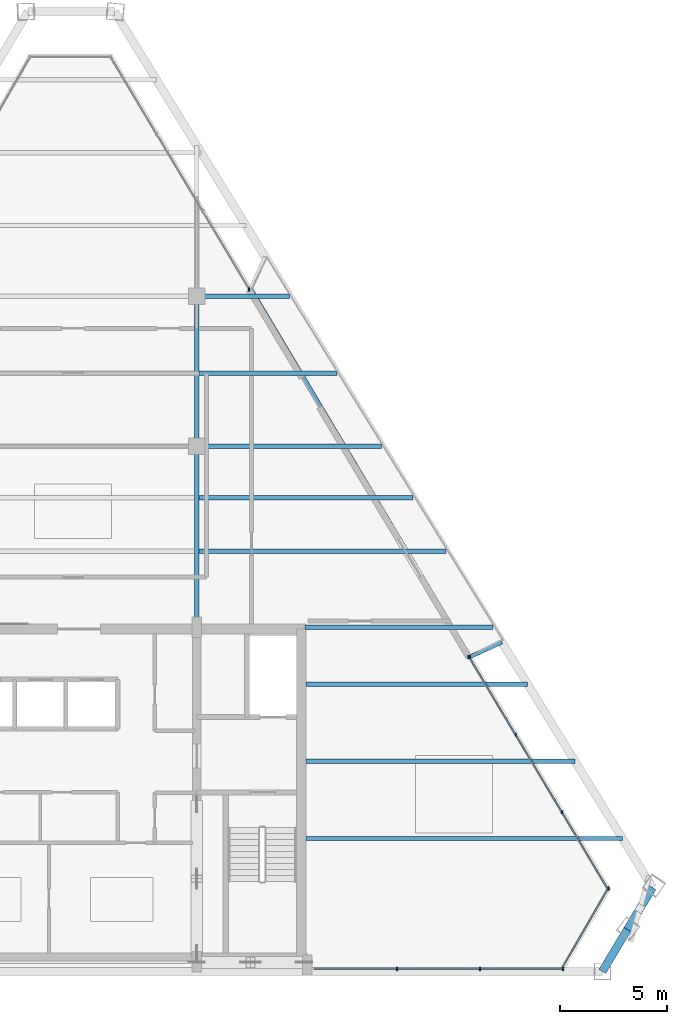
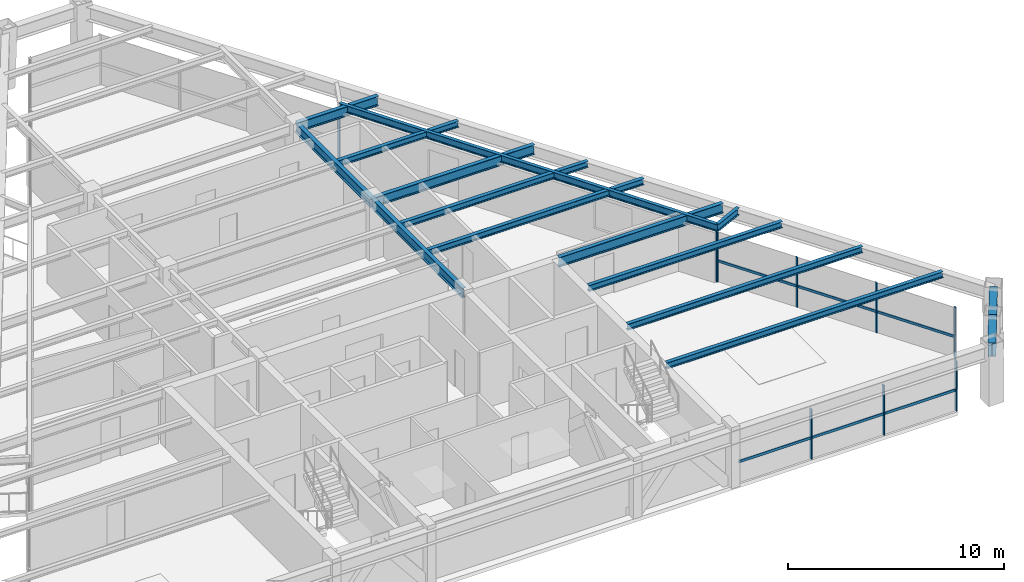
# One storey, part 5 of 13: 16 members, 15 beams, 4 elements without a shape of their own.
"""IFC4 building model written with IfcOpenShell, lengths in metres."""

from ifc_helpers import new_model, si_unit, direction, frame, origin, origin_2d, place, context, subcontext, project, spatial, rectangle, i_section, extrude, source, transform, mapped, material, material_profile, profile_set, type_object, type_shapes, element, aggregate, save


model = new_model("IFC4")

# Units and contexts
model_context = context("Model", 3, precision=1e-05, world=origin(), true_north=direction((0.0, 1.0)))
body_context = subcontext(model_context, "Body", "Model", "MODEL_VIEW")
ifc_project = project(units=[si_unit("LENGTHUNIT", "METRE"), si_unit("AREAUNIT", "SQUARE_METRE"), si_unit("VOLUMEUNIT", "CUBIC_METRE"), si_unit("PLANEANGLEUNIT", "RADIAN"), si_unit("MASSUNIT", "GRAM", prefix="KILO")], contexts=[model_context])

# Site, building, storey
site_placement = place(None, origin())
site = spatial("IfcSite", under=ifc_project, at=site_placement, CompositionType="ELEMENT")
building_placement = place(site_placement, origin())
building = spatial("IfcBuilding", under=site, at=building_placement, Name="Varnakhor Terracotta Tower", CompositionType="ELEMENT")
storey_placement = place(building_placement, frame((0.0, 0.0, 269.550048828125)))
storey = spatial("IfcBuildingStorey", under=building, at=storey_placement, Name="L70", CompositionType="ELEMENT", Elevation=269.550048828125)

# Beams
ifc_material_1 = material(Name="Steel S355", Category="steel")
ifc_material_profile_1 = material_profile(ifc_material_1, i_section(OverallWidth=0.214111328125, OverallDepth=0.549072265625, WebThickness=0.014892578125, FlangeThickness=0.02392578125, FilletRadius=0.01806640625, at=origin_2d()), Name="W21X93")
ifc_profile_set_1 = profile_set([ifc_material_profile_1], Name="Steel S355")
beam_type_1 = type_object("IfcBeamType", Name="BM-W21X93", PredefinedType="BEAM", material=ifc_profile_set_1)
shared_shape_1 = source(origin(), body_context, "Body", "SweptSolid", [
    extrude(i_section(OverallWidth=0.214111328125, OverallDepth=0.549072265625, WebThickness=0.014892578125, FlangeThickness=0.02392578125, FilletRadius=0.01806640625, at=origin_2d()), origin(), (0.0, 0.0, 1.0), 8.449951171875),
])
type_shapes(beam_type_1, [shared_shape_1])
beam_1_placement = place(storey_placement, frame((5.5, 16.050048828125, 2.96533203125), z_axis=(0.0, 1.0, 0.0), x_axis=(-1.0, 0.0, 0.0)))
element("IfcBeam", 1, at=beam_1_placement, inside=storey, type_object=beam_type_1, Name="L70 Primary Girder NS1-E", PredefinedType="BEAM", context=body_context, shape_type="MappedRepresentation", body=[
    mapped(shared_shape_1, transform((0.0, 0.0, 0.0), scale=1.0)),
])
shared_shape_2 = source(origin(), body_context, "Body", "SweptSolid", [
    extrude(i_section(OverallWidth=0.214111328125, OverallDepth=0.549072265625, WebThickness=0.014892578125, FlangeThickness=0.02392578125, FilletRadius=0.01806640625, at=origin_2d()), origin(), (0.0, 0.0, 1.0), 7.0),
])
beam_2_placement = place(storey_placement, frame((5.5, 24.5, 2.96533203125), z_axis=(0.0, 1.0, 0.0), x_axis=(-1.0, 0.0, 0.0)))
element("IfcBeam", 2, at=beam_2_placement, inside=storey, type_object=beam_type_1, Name="L70 Primary Girder NS2-E", PredefinedType="BEAM", context=body_context, shape_type="MappedRepresentation", body=[
    mapped(shared_shape_2, transform((0.0, 0.0, 0.0), scale=1.0)),
])
ifc_material_profile_2 = material_profile(ifc_material_1, i_section(OverallWidth=0.381103515625, OverallDepth=0.77294921875, WebThickness=0.01708984375, FlangeThickness=0.027099609375, FilletRadius=0.01806640625, at=origin_2d()), Name="W30X173")
ifc_profile_set_2 = profile_set([ifc_material_profile_2], Name="Steel S355")
beam_type_2 = type_object("IfcBeamType", Name="BM-W30X173", PredefinedType="BEAM", material=ifc_profile_set_2)
shared_shape_3 = source(origin(), body_context, "Body", "SweptSolid", [
    extrude(i_section(OverallWidth=0.381103515625, OverallDepth=0.77294921875, WebThickness=0.01708984375, FlangeThickness=0.027099609375, FilletRadius=0.01806640625, at=origin_2d()), origin(), (0.0, 0.0, 1.0), 2.281005859375),
])
for number, where, z_axis, x_axis, name in (
    (3, (24.41748046875, 0.0, 2.853515625), (0.513330509349, 0.858190997489, 0.0), (-0.858190997489, 0.513330509349, 0.0), "L70 Perimeter Spandrel 2"),
    (4, (25.58837890625, 1.95751953125, 2.853515625), (0.513409331815, 0.858143844589, 0.0), (-0.858143844589, 0.513409331815, 0.0), "L70 Perimeter Spandrel 3"),
):
    element("IfcBeam", number, at=place(storey_placement, frame(where, z_axis=z_axis, x_axis=x_axis)), inside=storey, type_object=beam_type_2, Name=name, PredefinedType="BEAM", context=body_context, shape_type="MappedRepresentation", body=[
        mapped(shared_shape_3, transform((0.0, 0.0, 0.0), scale=1.0)),
    ])
ifc_material_profile_3 = material_profile(ifc_material_1, i_section(OverallWidth=0.179931640625, OverallDepth=0.39990234375, WebThickness=0.008544921875, FlangeThickness=0.013427734375, FilletRadius=0.01806640625, at=origin_2d()), Name="IPE400")
ifc_profile_set_3 = profile_set([ifc_material_profile_3], Name="Steel S355")
beam_type_3 = type_object("IfcBeamType", Name="JST-IPE400", PredefinedType="JOIST", material=ifc_profile_set_3)
shared_shape_4 = source(origin(), body_context, "Body", "SweptSolid", [
    extrude(i_section(OverallWidth=0.179931640625, OverallDepth=0.39990234375, WebThickness=0.008544921875, FlangeThickness=0.013427734375, FilletRadius=0.01806640625, at=origin_2d()), origin(), (0.0, 0.0, 1.0), 19.988525390625),
])
beam_3_placement = place(storey_placement, frame((18.23388671875, 14.671142578125, 3.0400390625), z_axis=(-0.511386799139, 0.85935065117, 0.0), x_axis=(-0.85935065117, -0.511386799139, 0.0)))
element("IfcBeam", 5, at=beam_3_placement, inside=storey, type_object=beam_type_3, Name="L70 Loggia Edge Beam 1", PredefinedType="JOIST", context=body_context, shape_type="MappedRepresentation", body=[
    mapped(shared_shape_4, transform((0.0, 0.0, 0.0), scale=1.0)),
])
shared_shape_5 = source(origin(), body_context, "Body", "SweptSolid", [
    extrude(i_section(OverallWidth=0.214111328125, OverallDepth=0.549072265625, WebThickness=0.014892578125, FlangeThickness=0.02392578125, FilletRadius=0.01806640625, at=origin_2d()), origin(), (0.0, 0.0, 1.0), 8.756103515625),
])
beam_4_placement = place(storey_placement, frame((10.550048828125, 16.050048828125, 2.96533203125), z_axis=(1.0, 0.0, 0.0), x_axis=(0.0, 1.0, 0.0)))
element("IfcBeam", 6, at=beam_4_placement, inside=storey, type_object=beam_type_1, Name="L70 Wing Girder E", PredefinedType="BEAM", context=body_context, shape_type="MappedRepresentation", body=[
    mapped(shared_shape_5, transform((0.0, 0.0, 0.0), scale=1.0)),
])
shared_shape_6 = source(origin(), body_context, "Body", "SweptSolid", [
    extrude(i_section(OverallWidth=0.214111328125, OverallDepth=0.549072265625, WebThickness=0.014892578125, FlangeThickness=0.02392578125, FilletRadius=0.01806640625, at=origin_2d()), origin(), (0.0, 0.0, 1.0), 8.615966796875),
])
beam_5_placement = place(storey_placement, frame((5.5, 24.5, 2.96533203125), z_axis=(1.0, 0.0, 0.0), x_axis=(0.0, 1.0, 0.0)))
element("IfcBeam", 7, at=beam_5_placement, inside=storey, type_object=beam_type_1, Name="L70 Primary Girder EW2-3", PredefinedType="BEAM", context=body_context, shape_type="MappedRepresentation", body=[
    mapped(shared_shape_6, transform((0.0, 0.0, 0.0), scale=1.0)),
])
shared_shape_7 = source(origin(), body_context, "Body", "SweptSolid", [
    extrude(i_section(OverallWidth=0.214111328125, OverallDepth=0.549072265625, WebThickness=0.014892578125, FlangeThickness=0.02392578125, FilletRadius=0.01806640625, at=origin_2d()), origin(), (0.0, 0.0, 1.0), 4.31640625),
])
beam_6_placement = place(storey_placement, frame((5.5, 31.5, 2.96533203125), z_axis=(1.0, 0.0, 0.0), x_axis=(0.0, 1.0, 0.0)))
element("IfcBeam", 8, at=beam_6_placement, inside=storey, type_object=beam_type_1, Name="L70 Primary Girder EW3-3", PredefinedType="BEAM", context=body_context, shape_type="MappedRepresentation", body=[
    mapped(shared_shape_7, transform((0.0, 0.0, 0.0), scale=1.0)),
])
ifc_material_profile_4 = material_profile(ifc_material_1, i_section(OverallWidth=0.202880859375, OverallDepth=0.346923828125, WebThickness=0.0078125, FlangeThickness=0.013427734375, FilletRadius=0.01806640625, at=origin_2d()), Name="W14X43")
ifc_profile_set_4 = profile_set([ifc_material_profile_4], Name="Steel S355")
beam_type_4 = type_object("IfcBeamType", Name="JST-W14X43", PredefinedType="JOIST", material=ifc_profile_set_4)
shared_shape_8 = source(origin(), body_context, "Body", "SweptSolid", [
    extrude(i_section(OverallWidth=0.202880859375, OverallDepth=0.346923828125, WebThickness=0.0078125, FlangeThickness=0.013427734375, FilletRadius=0.01806640625, at=origin_2d()), origin(), (0.0, 0.0, 1.0), 14.756103515625),
])
beam_7_placement = place(storey_placement, frame((10.60009765625, 6.199951171875, 3.06640625), z_axis=(1.0, 0.0, 0.0), x_axis=(0.0, 1.0, 0.0)))
element("IfcBeam", 9, at=beam_7_placement, inside=storey, type_object=beam_type_4, Name="L70 Floor Joist E1", PredefinedType="JOIST", context=body_context, shape_type="MappedRepresentation", body=[
    mapped(shared_shape_8, transform((0.0, 0.0, 0.0), scale=1.0)),
])
shared_shape_9 = source(origin(), body_context, "Body", "SweptSolid", [
    extrude(i_section(OverallWidth=0.202880859375, OverallDepth=0.346923828125, WebThickness=0.0078125, FlangeThickness=0.013427734375, FilletRadius=0.01806640625, at=origin_2d()), origin(), (0.0, 0.0, 1.0), 12.544921875),
])
beam_8_placement = place(storey_placement, frame((10.60009765625, 9.800048828125, 3.06640625), z_axis=(1.0, 0.0, 0.0), x_axis=(0.0, 1.0, 0.0)))
element("IfcBeam", 10, at=beam_8_placement, inside=storey, type_object=beam_type_4, Name="L70 Floor Joist E2", PredefinedType="JOIST", context=body_context, shape_type="MappedRepresentation", body=[
    mapped(shared_shape_9, transform((0.0, 0.0, 0.0), scale=1.0)),
])
shared_shape_10 = source(origin(), body_context, "Body", "SweptSolid", [
    extrude(i_section(OverallWidth=0.202880859375, OverallDepth=0.346923828125, WebThickness=0.0078125, FlangeThickness=0.013427734375, FilletRadius=0.01806640625, at=origin_2d()), origin(), (0.0, 0.0, 1.0), 10.333740234375),
])
beam_9_placement = place(storey_placement, frame((10.60009765625, 13.39990234375, 3.06640625), z_axis=(1.0, 0.0, 0.0), x_axis=(0.0, 1.0, 0.0)))
element("IfcBeam", 11, at=beam_9_placement, inside=storey, type_object=beam_type_4, Name="L70 Floor Joist E3", PredefinedType="JOIST", context=body_context, shape_type="MappedRepresentation", body=[
    mapped(shared_shape_10, transform((0.0, 0.0, 0.0), scale=1.0)),
])
shared_shape_11 = source(origin(), body_context, "Body", "SweptSolid", [
    extrude(i_section(OverallWidth=0.202880859375, OverallDepth=0.346923828125, WebThickness=0.0078125, FlangeThickness=0.013427734375, FilletRadius=0.01806640625, at=origin_2d()), origin(), (0.0, 0.0, 1.0), 11.5224609375),
])
beam_10_placement = place(storey_placement, frame((5.60302734375, 19.60009765625, 3.06640625), z_axis=(1.0, 0.0, 0.0), x_axis=(0.0, 1.0, 0.0)))
element("IfcBeam", 12, at=beam_10_placement, inside=storey, type_object=beam_type_4, Name="L70 Composite Floor Joist 4-3", PredefinedType="JOIST", context=body_context, shape_type="MappedRepresentation", body=[
    mapped(shared_shape_11, transform((0.0, 0.0, 0.0), scale=1.0)),
])
shared_shape_12 = source(origin(), body_context, "Body", "SweptSolid", [
    extrude(i_section(OverallWidth=0.202880859375, OverallDepth=0.346923828125, WebThickness=0.0078125, FlangeThickness=0.013427734375, FilletRadius=0.01806640625, at=origin_2d()), origin(), (0.0, 0.0, 1.0), 9.987060546875),
])
beam_11_placement = place(storey_placement, frame((5.60302734375, 22.10009765625, 3.06640625), z_axis=(1.0, 0.0, 0.0), x_axis=(0.0, 1.0, 0.0)))
element("IfcBeam", 13, at=beam_11_placement, inside=storey, type_object=beam_type_4, Name="L70 Composite Floor Joist 5-3", PredefinedType="JOIST", context=body_context, shape_type="MappedRepresentation", body=[
    mapped(shared_shape_12, transform((0.0, 0.0, 0.0), scale=1.0)),
])
shared_shape_13 = source(origin(), body_context, "Body", "SweptSolid", [
    extrude(i_section(OverallWidth=0.202880859375, OverallDepth=0.346923828125, WebThickness=0.0078125, FlangeThickness=0.013427734375, FilletRadius=0.01806640625, at=origin_2d()), origin(), (0.0, 0.0, 1.0), 6.424560546875),
])
beam_12_placement = place(storey_placement, frame((5.60302734375, 27.89990234375, 3.06640625), z_axis=(1.0, 0.0, 0.0), x_axis=(0.0, 1.0, 0.0)))
element("IfcBeam", 14, at=beam_12_placement, inside=storey, type_object=beam_type_4, Name="L70 Composite Floor Joist 6-3", PredefinedType="JOIST", context=body_context, shape_type="MappedRepresentation", body=[
    mapped(shared_shape_13, transform((0.0, 0.0, 0.0), scale=1.0)),
])

# Curtain wall, members
ifc_material_2 = material(Name="Anodised Aluminium Curtain Wall System", Category="aluminium")
curtain_wall_type = type_object("IfcCurtainWallType", Name="CW-SYS-HOTEL-LOGGIA", PredefinedType="NOTDEFINED", material=ifc_material_2)
curtain_wall_1_placement = place(storey_placement, origin())
curtain_wall_1 = element("IfcCurtainWall", 15, at=curtain_wall_1_placement, inside=storey, type_object=curtain_wall_type, Name="L70 E Facet Curtain Wall 2", PredefinedType="NOTDEFINED")
ifc_material_3 = material(Name="Anodised Aluminium 6063-T6", Category="aluminium")
ifc_material_profile_5 = material_profile(ifc_material_3, rectangle(XDim=0.06494140625, YDim=0.159912109375, at=origin_2d()), Name="ALU MULLION 65x160")
ifc_profile_set_5 = profile_set([ifc_material_profile_5], Name="Anodised Aluminium 6063-T6")
member_type_1 = type_object("IfcMemberType", Name="CWM-04", PredefinedType="MULLION", material=ifc_profile_set_5)
shared_shape_14 = source(origin(), body_context, "Body", "SweptSolid", [
    extrude(rectangle(XDim=0.06494140625, YDim=0.159912109375, at=origin_2d()), origin(), (0.0, 0.0, 1.0), 2.820068359375),
])
type_shapes(member_type_1, [shared_shape_14])
member_1_placement = place(storey_placement, frame((18.214599609375, 14.6591796875, 0.0), z_axis=(0.0, 0.0, 1.0), x_axis=(1.0, 0.0, 0.0)))
member_1 = element("IfcMember", 16, at=member_1_placement, type_object=member_type_1, Name="L70 E Facet Curtain Wall 2 Mullion 1", PredefinedType="MULLION", context=body_context, shape_type="MappedRepresentation", body=[
    mapped(shared_shape_14, transform((0.0, 0.0, 0.0), scale=1.0)),
])
member_2_placement = place(storey_placement, frame((20.376220703125, 11.042236328125, 0.0), z_axis=(0.0, 0.0, 1.0), x_axis=(1.0, 0.0, 0.0)))
member_2 = element("IfcMember", 17, at=member_2_placement, type_object=member_type_1, Name="L70 E Facet Curtain Wall 2 Mullion 2", PredefinedType="MULLION", context=body_context, shape_type="MappedRepresentation", body=[
    mapped(shared_shape_14, transform((0.0, 0.0, 0.0), scale=1.0)),
])
member_3_placement = place(storey_placement, frame((22.5380859375, 7.42529296875, 0.0), z_axis=(0.0, 0.0, 1.0), x_axis=(1.0, 0.0, 0.0)))
member_3 = element("IfcMember", 18, at=member_3_placement, type_object=member_type_1, Name="L70 E Facet Curtain Wall 2 Mullion 3", PredefinedType="MULLION", context=body_context, shape_type="MappedRepresentation", body=[
    mapped(shared_shape_14, transform((0.0, 0.0, 0.0), scale=1.0)),
])

# Curtain wall, member
curtain_wall_2_placement = place(storey_placement, origin())
curtain_wall_2 = element("IfcCurtainWall", 19, at=curtain_wall_2_placement, inside=storey, type_object=curtain_wall_type, Name="L70 E Facet Curtain Wall 1", PredefinedType="NOTDEFINED")
member_4_placement = place(storey_placement, frame((7.942138671875, 31.806640625, 0.0), z_axis=(0.0, 0.0, 1.0), x_axis=(1.0, 0.0, 0.0)))
member_4 = element("IfcMember", 20, at=member_4_placement, type_object=member_type_1, Name="L70 E Loggia Jamb Closure Mullion 1", PredefinedType="MULLION", context=body_context, shape_type="MappedRepresentation", body=[
    mapped(shared_shape_14, transform((0.0, 0.0, 0.0), scale=1.0)),
])
aggregate(curtain_wall_2, [member_4])

# Member
member_5_placement = place(storey_placement, frame((18.181884765625, 14.674560546875, 0.0), z_axis=(0.0, 0.0, 1.0), x_axis=(1.0, 0.0, 0.0)))
member_5 = element("IfcMember", 21, at=member_5_placement, type_object=member_type_1, Name="L70 E Loggia Jamb Closure Mullion 2", PredefinedType="MULLION", context=body_context, shape_type="MappedRepresentation", body=[
    mapped(shared_shape_14, transform((0.0, 0.0, 0.0), scale=1.0)),
])

# Curtain wall, member
curtain_wall_3_placement = place(storey_placement, origin())
curtain_wall_3 = element("IfcCurtainWall", 22, at=curtain_wall_3_placement, inside=storey, type_object=curtain_wall_type, Name="L70 Facet Curtain Wall 4", PredefinedType="NOTDEFINED")
member_6_placement = place(storey_placement, frame((24.699462890625, 3.87841796875, 0.0), z_axis=(0.0, 0.0, 1.0), x_axis=(1.0, 0.0, 0.0)))
member_6 = element("IfcMember", 23, at=member_6_placement, type_object=member_type_1, Name="L70 Facet Curtain Wall 4 Mullion 1", PredefinedType="MULLION", context=body_context, shape_type="MappedRepresentation", body=[
    mapped(shared_shape_14, transform((0.0, 0.0, 0.0), scale=1.0)),
])

# Curtain wall, members
curtain_wall_4_placement = place(storey_placement, origin())
curtain_wall_4 = element("IfcCurtainWall", 24, at=curtain_wall_4_placement, inside=storey, type_object=curtain_wall_type, Name="L70 South Wing Curtain Wall SSE", PredefinedType="NOTDEFINED")
member_7_placement = place(storey_placement, frame((22.581787109375, 0.1201171875, 0.0), z_axis=(0.0, 0.0, 1.0), x_axis=(1.0, 0.0, 0.0)))
member_7 = element("IfcMember", 25, at=member_7_placement, type_object=member_type_1, Name="L70 South Wing Curtain Wall SSE Mullion 1", PredefinedType="MULLION", context=body_context, shape_type="MappedRepresentation", body=[
    mapped(shared_shape_14, transform((0.0, 0.0, 0.0), scale=1.0)),
])
member_8_placement = place(storey_placement, frame((18.711181640625, 0.1201171875, 0.0), z_axis=(0.0, 0.0, 1.0), x_axis=(1.0, 0.0, 0.0)))
member_8 = element("IfcMember", 26, at=member_8_placement, type_object=member_type_1, Name="L70 South Wing Curtain Wall SSE Mullion 2", PredefinedType="MULLION", context=body_context, shape_type="MappedRepresentation", body=[
    mapped(shared_shape_14, transform((0.0, 0.0, 0.0), scale=1.0)),
])
member_9_placement = place(storey_placement, frame((14.840576171875, 0.1201171875, 0.0), z_axis=(0.0, 0.0, 1.0), x_axis=(1.0, 0.0, 0.0)))
member_9 = element("IfcMember", 27, at=member_9_placement, type_object=member_type_1, Name="L70 South Wing Curtain Wall SSE Mullion 3", PredefinedType="MULLION", context=body_context, shape_type="MappedRepresentation", body=[
    mapped(shared_shape_14, transform((0.0, 0.0, 0.0), scale=1.0)),
])

# Member
ifc_material_profile_6 = material_profile(ifc_material_3, rectangle(XDim=0.06494140625, YDim=0.14501953125, at=origin_2d()), Name="ALU TRANSOM 65x145")
ifc_profile_set_6 = profile_set([ifc_material_profile_6], Name="Anodised Aluminium 6063-T6")
member_type_2 = type_object("IfcMemberType", Name="CWT-04", PredefinedType="USERDEFINED", material=ifc_profile_set_6)
shared_shape_15 = source(origin(), body_context, "Body", "SweptSolid", [
    extrude(rectangle(XDim=0.06494140625, YDim=0.14501953125, at=origin_2d()), origin(), (0.0, 0.0, 1.0), 4.2138671875),
])
member_10_placement = place(storey_placement, frame((20.376220703125, 11.042236328125, 1.184326171875), z_axis=(0.513046555695, -0.858360781775, 0.0), x_axis=(0.858360781775, 0.513046555695, 0.0)))
member_10 = element("IfcMember", 28, at=member_10_placement, type_object=member_type_2, Name="L70 E Facet Curtain Wall 2 Transom 2", ObjectType="TRANSOM", PredefinedType="USERDEFINED", context=body_context, shape_type="MappedRepresentation", body=[
    mapped(shared_shape_15, transform((0.0, 0.0, 0.0), scale=1.0)),
])

member_11_placement = place(storey_placement, frame((22.5380859375, 7.42529296875, 1.184326171875), z_axis=(0.513046555695, -0.858360781775, 0.0), x_axis=(0.858360781775, 0.513046555695, 0.0)))
member_11 = element("IfcMember", 29, at=member_11_placement, type_object=member_type_2, Name="L70 E Facet Curtain Wall 2 Transom 3", ObjectType="TRANSOM", PredefinedType="USERDEFINED", context=body_context, shape_type="MappedRepresentation", body=[
    mapped(shared_shape_15, transform((0.0, 0.0, 0.0), scale=1.0)),
])

shared_shape_16 = source(origin(), body_context, "Body", "SweptSolid", [
    extrude(rectangle(XDim=0.06494140625, YDim=0.14501953125, at=origin_2d()), origin(), (0.0, 0.0, 1.0), 4.213623046875),
])
member_12_placement = place(storey_placement, frame((18.214599609375, 14.6591796875, 1.184326171875), z_axis=(0.513003865581, -0.85838629643, 0.0), x_axis=(0.85838629643, 0.513003865581, 0.0)))
member_12 = element("IfcMember", 30, at=member_12_placement, type_object=member_type_2, Name="L70 E Facet Curtain Wall 2 Transom 1", ObjectType="TRANSOM", PredefinedType="USERDEFINED", context=body_context, shape_type="MappedRepresentation", body=[
    mapped(shared_shape_16, transform((0.0, 0.0, 0.0), scale=1.0)),
])

aggregate(curtain_wall_1, [member_1, member_12, member_2, member_10, member_3, member_11, member_5])

shared_shape_17 = source(origin(), body_context, "Body", "SweptSolid", [
    extrude(rectangle(XDim=0.06494140625, YDim=0.14501953125, at=origin_2d()), origin(), (0.0, 0.0, 1.0), 4.38232421875),
])
member_13_placement = place(storey_placement, frame((24.699462890625, 3.87841796875, 1.184326171875), z_axis=(-0.501211939375, -0.865324558665, 0.0), x_axis=(0.865324558665, -0.501211939375, 0.0)))
member_13 = element("IfcMember", 31, at=member_13_placement, type_object=member_type_2, Name="L70 Facet Curtain Wall 4 Transom 1", ObjectType="TRANSOM", PredefinedType="USERDEFINED", context=body_context, shape_type="MappedRepresentation", body=[
    mapped(shared_shape_17, transform((0.0, 0.0, 0.0), scale=1.0)),
])

aggregate(curtain_wall_3, [member_6, member_13])

shared_shape_18 = source(origin(), body_context, "Body", "SweptSolid", [
    extrude(rectangle(XDim=0.06494140625, YDim=0.14501953125, at=origin_2d()), origin(), (0.0, 0.0, 1.0), 3.87060546875),
])
member_14_placement = place(storey_placement, frame((22.581787109375, 0.1201171875, 1.184326171875), z_axis=(-1.0, 0.0, 0.0), x_axis=(0.0, -1.0, 0.0)))
member_14 = element("IfcMember", 32, at=member_14_placement, type_object=member_type_2, Name="L70 South Wing Curtain Wall SSE Transom 1", ObjectType="TRANSOM", PredefinedType="USERDEFINED", context=body_context, shape_type="MappedRepresentation", body=[
    mapped(shared_shape_18, transform((0.0, 0.0, 0.0), scale=1.0)),
])

member_15_placement = place(storey_placement, frame((18.711181640625, 0.1201171875, 1.184326171875), z_axis=(-1.0, 0.0, 0.0), x_axis=(0.0, -1.0, 0.0)))
member_15 = element("IfcMember", 33, at=member_15_placement, type_object=member_type_2, Name="L70 South Wing Curtain Wall SSE Transom 2", ObjectType="TRANSOM", PredefinedType="USERDEFINED", context=body_context, shape_type="MappedRepresentation", body=[
    mapped(shared_shape_18, transform((0.0, 0.0, 0.0), scale=1.0)),
])

member_16_placement = place(storey_placement, frame((14.840576171875, 0.1201171875, 1.184326171875), z_axis=(-1.0, 0.0, 0.0), x_axis=(0.0, -1.0, 0.0)))
member_16 = element("IfcMember", 34, at=member_16_placement, type_object=member_type_2, Name="L70 South Wing Curtain Wall SSE Transom 3", ObjectType="TRANSOM", PredefinedType="USERDEFINED", context=body_context, shape_type="MappedRepresentation", body=[
    mapped(shared_shape_18, transform((0.0, 0.0, 0.0), scale=1.0)),
])

aggregate(curtain_wall_4, [member_7, member_14, member_8, member_15, member_9, member_16])

# Beam
shared_shape_19 = source(origin(), body_context, "Body", "SweptSolid", [
    extrude(i_section(OverallWidth=0.179931640625, OverallDepth=0.39990234375, WebThickness=0.008544921875, FlangeThickness=0.013427734375, FilletRadius=0.01806640625, at=origin_2d()), origin(), (0.0, 0.0, 1.0), 1.647216796875),
])
beam_13_placement = place(storey_placement, frame((18.23388671875, 14.671142578125, 3.0400390625), z_axis=(0.909088211028, 0.416603678057, 0.0), x_axis=(-0.416603678057, 0.909088211028, 0.0)))
element("IfcBeam", 35, at=beam_13_placement, inside=storey, type_object=beam_type_3, Name="L71 E Loggia Tie Beam 2", PredefinedType="JOIST", context=body_context, shape_type="MappedRepresentation", body=[
    mapped(shared_shape_19, transform((0.0, 0.0, 0.0), scale=1.0)),
])

save(model, "model.ifc")
